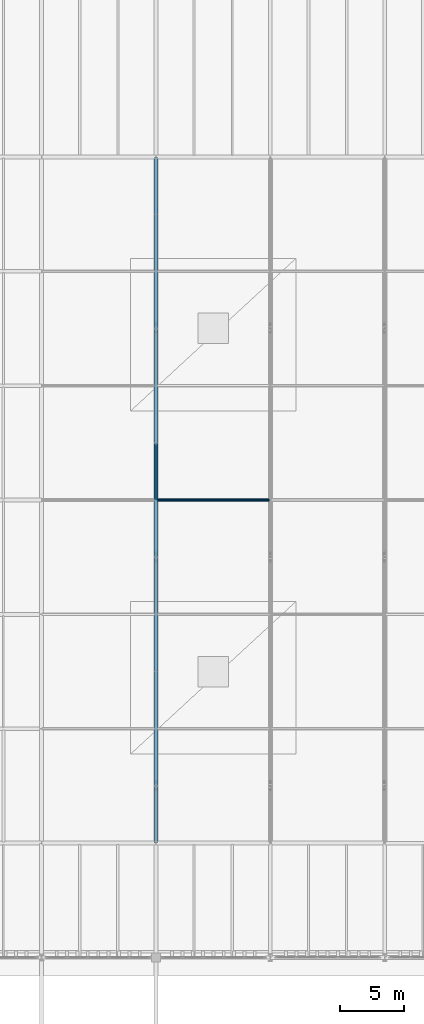
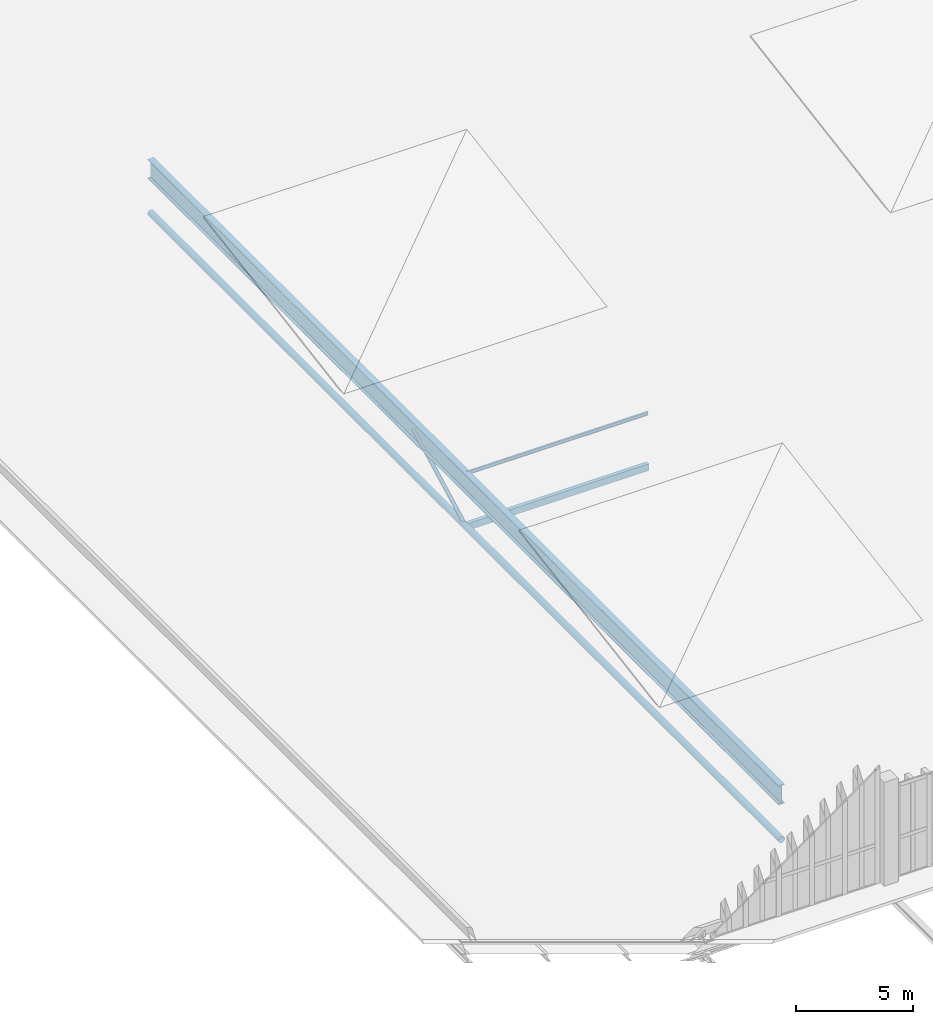
# One storey, part 51 of 196: 4 members, 1 beam.
"""IFC4 building model written with IfcOpenShell, lengths in metres."""

from ifc_helpers import new_model, si_unit, direction, frame, origin, origin_2d, place, context, subcontext, project, spatial, hollow_rectangle, hollow_circle, i_section, extrude, material, material_profile, profile_set, type_object, element, save


model = new_model("IFC4")

# Units and contexts
model_context = context("Model", 3, precision=1e-05, world=origin(), true_north=direction((0.0, 1.0)))
body_context = subcontext(model_context, "Body", "Model", "MODEL_VIEW")
ifc_project = project(units=[si_unit("LENGTHUNIT", "METRE"), si_unit("AREAUNIT", "SQUARE_METRE"), si_unit("VOLUMEUNIT", "CUBIC_METRE"), si_unit("PLANEANGLEUNIT", "RADIAN"), si_unit("MASSUNIT", "GRAM", prefix="KILO")], contexts=[model_context])

# Site, building, storey
site_placement = place(None, origin())
site = spatial("IfcSite", under=ifc_project, at=site_placement, CompositionType="ELEMENT")
building_placement = place(site_placement, origin())
building = spatial("IfcBuilding", under=site, at=building_placement, Name="Barlavento Convention Centre", CompositionType="ELEMENT")
storey_placement = place(building_placement, frame((0.0, 0.0, 18.0)))
storey = spatial("IfcBuildingStorey", under=building, at=storey_placement, Name="L03", CompositionType="ELEMENT", Elevation=18.0)

# Beam
ifc_material_1 = material(Name="Steel S460", Category="steel")
ifc_material_profile_1 = material_profile(ifc_material_1, i_section(OverallWidth=0.302001953125, OverallDepth=1.008056640625, WebThickness=0.02099609375, FlangeThickness=0.0400390625, FilletRadius=0.030029296875, at=origin_2d()), Name="HEM 1000")
ifc_profile_set_1 = profile_set([ifc_material_profile_1], Name="Steel S460")
beam_type = type_object("IfcBeamType", Name="STR-BM-EXH-HEM1000", PredefinedType="BEAM", material=ifc_profile_set_1)
beam_placement = place(storey_placement, frame((18.0, 63.02001953125, -0.84912109375), z_axis=(0.0, 1.0, 0.0), x_axis=(-1.0, 0.0, 0.0)))
element("IfcBeam", 1, at=beam_placement, inside=storey, type_object=beam_type, Name="Exhibition roof space frame top girder", PredefinedType="BEAM", context=body_context, shape_type="SweptSolid", body=[
    extrude(i_section(OverallWidth=0.302001953125, OverallDepth=1.008056640625, WebThickness=0.02099609375, FlangeThickness=0.0400390625, FilletRadius=0.030029296875, at=origin_2d()), origin(), (0.0, 0.0, 1.0), 53.9599609375),
])

# Members
ifc_material_2 = material(Name="Steel S355", Category="steel")
ifc_material_profile_2 = material_profile(ifc_material_2, hollow_circle(Radius=0.161865234375, WallThickness=0.01611328125, at=origin_2d()), Name="CHS 323.9x16.0")
ifc_profile_set_2 = profile_set([ifc_material_profile_2], Name="Steel S355")
member_type_1 = type_object("IfcMemberType", Name="STR-MEM-CHD-CHS323", PredefinedType="CHORD", material=ifc_profile_set_2)
member_1_placement = place(storey_placement, frame((18.0, 63.02001953125, -3.199951171875), z_axis=(0.0, 1.0, 0.0), x_axis=(-1.0, 0.0, 0.0)))
element("IfcMember", 2, at=member_1_placement, inside=storey, type_object=member_type_1, Name="Exhibition space frame bottom chord TC02", PredefinedType="CHORD", context=body_context, shape_type="SweptSolid", body=[
    extrude(hollow_circle(Radius=0.161865234375, WallThickness=0.01611328125, at=origin_2d()), origin(), (0.0, 0.0, 1.0), 53.9599609375),
])
ifc_material_profile_3 = material_profile(ifc_material_2, hollow_rectangle(XDim=0.199951171875, YDim=0.35009765625, WallThickness=0.012451171875, at=origin_2d()), Name="RHS 350x200x12.5")
ifc_profile_set_3 = profile_set([ifc_material_profile_3], Name="Steel S355")
member_type_2 = type_object("IfcMemberType", Name="STR-MEM-COL-RHS350", PredefinedType="COLLAR", material=ifc_profile_set_3)
member_2_placement = place(storey_placement, frame((18.02001953125, 90.0, -3.199951171875), z_axis=(1.0, 0.0, 0.0), x_axis=(0.0, 1.0, 0.0)))
element("IfcMember", 3, at=member_2_placement, inside=storey, type_object=member_type_2, Name="Exhibition space frame transverse chord", PredefinedType="COLLAR", context=body_context, shape_type="SweptSolid", body=[
    extrude(hollow_rectangle(XDim=0.199951171875, YDim=0.35009765625, WallThickness=0.012451171875, at=origin_2d()), origin(), (0.0, 0.0, 1.0), 8.9599609375),
])
ifc_material_profile_4 = material_profile(ifc_material_2, hollow_circle(Radius=0.096923828125, WallThickness=0.010009765625, at=origin_2d()), Name="CHS 193.7x10.0")
ifc_profile_set_4 = profile_set([ifc_material_profile_4], Name="Steel S355")
member_type_3 = type_object("IfcMemberType", Name="STR-MEM-DIAG-CHS193", PredefinedType="RAFTER", material=ifc_profile_set_4)
member_3_placement = place(storey_placement, frame((18.0, 90.050048828125, -3.199951171875), z_axis=(0.0, 0.884200566707, 0.467107437144), x_axis=(-1.0, 0.0, 0.0)))
element("IfcMember", 4, at=member_3_placement, inside=storey, type_object=member_type_3, Name="Exhibition space frame web diagonal", PredefinedType="RAFTER", context=body_context, shape_type="SweptSolid", body=[
    extrude(hollow_circle(Radius=0.096923828125, WallThickness=0.010009765625, at=origin_2d()), origin(), (0.0, 0.0, 1.0), 5.03271484375),
])
ifc_material_profile_5 = material_profile(ifc_material_2, i_section(OverallWidth=0.091064453125, OverallDepth=0.179931640625, WebThickness=0.00537109375, FlangeThickness=0.008056640625, FilletRadius=0.009033203125, at=origin_2d()), Name="IPE 180")
ifc_profile_set_5 = profile_set([ifc_material_profile_5], Name="Steel S355")
member_type_4 = type_object("IfcMemberType", Name="STR-MEM-PUR-IPE180", PredefinedType="PURLIN", material=ifc_profile_set_5)
member_4_placement = place(storey_placement, frame((18.02001953125, 90.0, -0.43505859375), z_axis=(1.0, 0.0, 0.0), x_axis=(0.0, 1.0, 0.0)))
element("IfcMember", 5, at=member_4_placement, inside=storey, type_object=member_type_4, Name="Exhibition roof purlin", PredefinedType="PURLIN", context=body_context, shape_type="SweptSolid", body=[
    extrude(i_section(OverallWidth=0.091064453125, OverallDepth=0.179931640625, WebThickness=0.00537109375, FlangeThickness=0.008056640625, FilletRadius=0.009033203125, at=origin_2d()), origin(), (0.0, 0.0, 1.0), 8.9599609375),
])

save(model, "model.ifc")
